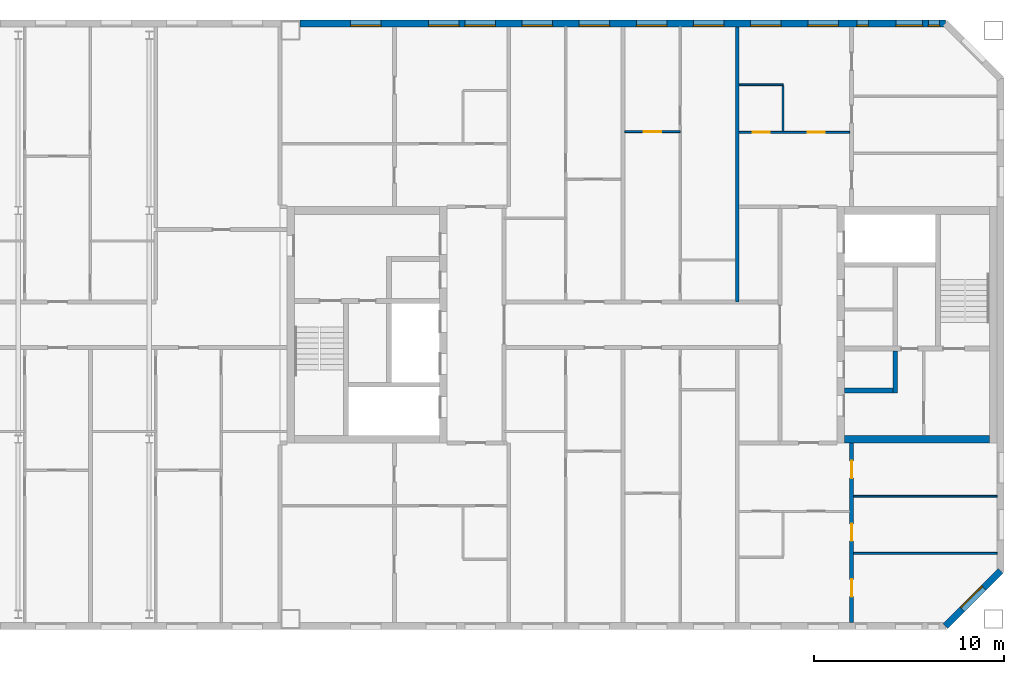
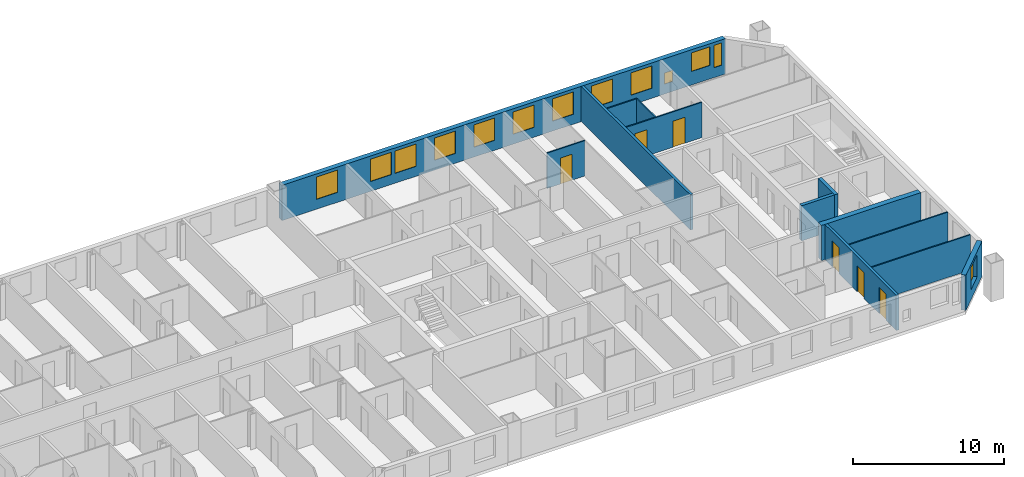
# One storey, part 16 of 19: 13 walls, 13 windows, 6 doors, 19 openings.
"""IFC4 building model written with IfcOpenShell, lengths in metres."""

from ifc_helpers import new_model, si_unit, direction, frame, frame_2d, origin, place, context, subcontext, project, spatial, rectangle, extrude, material, layer, layer_set, type_object, element, fill, save


model = new_model("IFC4")

# Units and contexts
model_context = context("Model", 3, precision=1e-05, world=origin(), true_north=direction((0.0, 1.0)))
body_context = subcontext(model_context, "Body", "Model", "MODEL_VIEW")
ifc_project = project(units=[si_unit("LENGTHUNIT", "METRE"), si_unit("AREAUNIT", "SQUARE_METRE"), si_unit("VOLUMEUNIT", "CUBIC_METRE"), si_unit("PLANEANGLEUNIT", "RADIAN"), si_unit("MASSUNIT", "GRAM", prefix="KILO")], contexts=[model_context])

# Site, building, storey
site_placement = place(None, origin())
site = spatial("IfcSite", under=ifc_project, at=site_placement, CompositionType="ELEMENT")
building_placement = place(site_placement, origin())
building = spatial("IfcBuilding", under=site, at=building_placement, Name="Tuart Gate Housing", CompositionType="ELEMENT")
storey_placement = place(building_placement, frame((0.0, 0.0, 212.10009765625)))
storey = spatial("IfcBuildingStorey", under=building, at=storey_placement, Name="L60", CompositionType="ELEMENT", Elevation=212.10009765625)

# Wall, opening, window
ifc_material_1 = material(Name="Brick", Category="masonry")
ifc_layer_1 = layer(ifc_material_1, 0.360107421875)
ifc_layer_set_1 = layer_set([ifc_layer_1], Name="Brick pier and spandrel wall 360")
wall_type_1 = type_object("IfcWallType", Name="Brick pier and spandrel wall 360", PredefinedType="STANDARD", material=ifc_layer_set_1)
wall_1_placement = place(storey_placement, frame((165.92529296875, 54.179931640625, 0.0), z_axis=(0.0, 0.0, 1.0), x_axis=(0.707106781187, 0.707106781187, 0.0)))
wall_1 = element("IfcWall", 1, at=wall_1_placement, inside=storey, type_object=wall_type_1, Name="External wall BLK-SE L60", PredefinedType="STANDARD", context=body_context, shape_type="SweptSolid", body=[
    extrude(rectangle(XDim=4.09375, YDim=0.360107421875, at=frame_2d((2.046875, 0.0))), origin(), (0.0, 0.0, 1.0), 2.849853515625),
])
opening_1_placement = place(wall_1_placement, frame((1.2470703125, 0.0, 0.800048828125)))
opening_1 = element("IfcOpeningElement", 2, at=opening_1_placement, cuts=wall_1, Name="Opening W1", PredefinedType="OPENING", context=body_context, shape_type="SweptSolid", body=[
    extrude(rectangle(XDim=1.60009765625, YDim=1.800048828125, at=frame_2d((0.800048828125, 0.89990234375))), frame((0.0, 0.18994140625, 0.0), z_axis=(0.0, -1.0, 0.0), x_axis=(1.0, 0.0, 0.0)), (0.0, 0.0, 1.0), 0.380126953125),
])
ifc_material_2 = material(Name="Aluminium frame with clear glass", Category="aluminium")
window_type_1 = type_object("IfcWindowType", Name="Punched window 1600 x 1800", PartitioningType="SINGLE_PANEL", PredefinedType="WINDOW", material=ifc_material_2)
window_1_placement = place(opening_1_placement, origin())
window_1 = element("IfcWindow", 3, at=window_1_placement, inside=storey, type_object=window_type_1, Name="Window W1", OverallHeight=1.800048828125, OverallWidth=1.60009765625, PartitioningType="SINGLE_PANEL", PredefinedType="WINDOW", context=body_context, shape_type="SweptSolid", body=[
    extrude(rectangle(XDim=1.60009765625, YDim=1.800048828125, at=frame_2d((0.800048828125, 0.89990234375))), frame((0.0, 0.150146484375, 0.0), z_axis=(0.0, -1.0, 0.0), x_axis=(1.0, 0.0, 0.0)), (0.0, 0.0, 1.0), 0.06005859375),
])
fill(opening_1, window_1)

# Wall, openings, windows
wall_2_placement = place(storey_placement, frame((165.92529296875, 85.820068359375, 0.0), z_axis=(0.0, 0.0, 1.0), x_axis=(-1.0, 0.0, 0.0)))
wall_2 = element("IfcWall", 4, at=wall_2_placement, inside=storey, type_object=wall_type_1, Name="External wall BLK-N L60", PredefinedType="STANDARD", context=body_context, shape_type="SweptSolid", body=[
    extrude(rectangle(XDim=33.875244140625, YDim=0.360107421875, at=frame_2d((16.9375, 0.0))), origin(), (0.0, 0.0, 1.0), 2.849853515625),
])
opening_2_placement = place(wall_2_placement, frame((0.300048828125, 0.0, 0.800048828125)))
opening_2 = element("IfcOpeningElement", 5, at=opening_2_placement, cuts=wall_2, Name="Opening W1E", PredefinedType="OPENING", context=body_context, shape_type="SweptSolid", body=[
    extrude(rectangle(XDim=0.60009765625, YDim=1.800048828125, at=frame_2d((0.300048828125, 0.89990234375))), frame((0.0, 0.18994140625, 0.0), z_axis=(0.0, -1.0, 0.0), x_axis=(1.0, 0.0, 0.0)), (0.0, 0.0, 1.0), 0.380126953125),
])
opening_3_placement = place(wall_2_placement, frame((5.62548828125, 0.0, 0.800048828125)))
opening_3 = element("IfcOpeningElement", 6, at=opening_3_placement, cuts=wall_2, Name="Opening W1", PredefinedType="OPENING", context=body_context, shape_type="SweptSolid", body=[
    extrude(rectangle(XDim=1.60009765625, YDim=1.800048828125, at=frame_2d((0.800048828125, 0.89990234375))), frame((0.0, 0.18994140625, 0.0), z_axis=(0.0, -1.0, 0.0), x_axis=(1.0, 0.0, 0.0)), (0.0, 0.0, 1.0), 0.380126953125),
])
opening_4_placement = place(wall_2_placement, frame((8.62548828125, 0.0, 0.800048828125)))
opening_4 = element("IfcOpeningElement", 7, at=opening_4_placement, cuts=wall_2, Name="Opening W1", PredefinedType="OPENING", context=body_context, shape_type="SweptSolid", body=[
    extrude(rectangle(XDim=1.60009765625, YDim=1.800048828125, at=frame_2d((0.800048828125, 0.89990234375))), frame((0.0, 0.18994140625, 0.0), z_axis=(0.0, -1.0, 0.0), x_axis=(1.0, 0.0, 0.0)), (0.0, 0.0, 1.0), 0.380126953125),
])
opening_5_placement = place(wall_2_placement, frame((11.62548828125, 0.0, 0.800048828125)))
opening_5 = element("IfcOpeningElement", 8, at=opening_5_placement, cuts=wall_2, Name="Opening W1", PredefinedType="OPENING", context=body_context, shape_type="SweptSolid", body=[
    extrude(rectangle(XDim=1.60009765625, YDim=1.800048828125, at=frame_2d((0.800048828125, 0.89990234375))), frame((0.0, 0.18994140625, 0.0), z_axis=(0.0, -1.0, 0.0), x_axis=(1.0, 0.0, 0.0)), (0.0, 0.0, 1.0), 0.380126953125),
])
opening_6_placement = place(wall_2_placement, frame((14.62548828125, 0.0, 0.800048828125)))
opening_6 = element("IfcOpeningElement", 9, at=opening_6_placement, cuts=wall_2, Name="Opening W1", PredefinedType="OPENING", context=body_context, shape_type="SweptSolid", body=[
    extrude(rectangle(XDim=1.60009765625, YDim=1.800048828125, at=frame_2d((0.800048828125, 0.89990234375))), frame((0.0, 0.18994140625, 0.0), z_axis=(0.0, -1.0, 0.0), x_axis=(1.0, 0.0, 0.0)), (0.0, 0.0, 1.0), 0.380126953125),
])
opening_7_placement = place(wall_2_placement, frame((17.62548828125, 0.0, 0.800048828125)))
opening_7 = element("IfcOpeningElement", 10, at=opening_7_placement, cuts=wall_2, Name="Opening W1", PredefinedType="OPENING", context=body_context, shape_type="SweptSolid", body=[
    extrude(rectangle(XDim=1.60009765625, YDim=1.800048828125, at=frame_2d((0.800048828125, 0.89990234375))), frame((0.0, 0.18994140625, 0.0), z_axis=(0.0, -1.0, 0.0), x_axis=(1.0, 0.0, 0.0)), (0.0, 0.0, 1.0), 0.380126953125),
])
opening_8_placement = place(wall_2_placement, frame((20.62548828125, 0.0, 0.800048828125)))
opening_8 = element("IfcOpeningElement", 11, at=opening_8_placement, cuts=wall_2, Name="Opening W1", PredefinedType="OPENING", context=body_context, shape_type="SweptSolid", body=[
    extrude(rectangle(XDim=1.60009765625, YDim=1.800048828125, at=frame_2d((0.800048828125, 0.89990234375))), frame((0.0, 0.18994140625, 0.0), z_axis=(0.0, -1.0, 0.0), x_axis=(1.0, 0.0, 0.0)), (0.0, 0.0, 1.0), 0.380126953125),
])
opening_9_placement = place(wall_2_placement, frame((23.62548828125, 0.0, 0.800048828125)))
opening_9 = element("IfcOpeningElement", 12, at=opening_9_placement, cuts=wall_2, Name="Opening W1", PredefinedType="OPENING", context=body_context, shape_type="SweptSolid", body=[
    extrude(rectangle(XDim=1.60009765625, YDim=1.800048828125, at=frame_2d((0.800048828125, 0.89990234375))), frame((0.0, 0.18994140625, 0.0), z_axis=(0.0, -1.0, 0.0), x_axis=(1.0, 0.0, 0.0)), (0.0, 0.0, 1.0), 0.380126953125),
])
opening_10_placement = place(wall_2_placement, frame((25.525390625, 0.0, 0.800048828125)))
opening_10 = element("IfcOpeningElement", 13, at=opening_10_placement, cuts=wall_2, Name="Opening W1", PredefinedType="OPENING", context=body_context, shape_type="SweptSolid", body=[
    extrude(rectangle(XDim=1.60009765625, YDim=1.800048828125, at=frame_2d((0.800048828125, 0.89990234375))), frame((0.0, 0.18994140625, 0.0), z_axis=(0.0, -1.0, 0.0), x_axis=(1.0, 0.0, 0.0)), (0.0, 0.0, 1.0), 0.380126953125),
])
opening_11_placement = place(wall_2_placement, frame((29.62548828125, 0.0, 0.800048828125)))
opening_11 = element("IfcOpeningElement", 14, at=opening_11_placement, cuts=wall_2, Name="Opening W1", PredefinedType="OPENING", context=body_context, shape_type="SweptSolid", body=[
    extrude(rectangle(XDim=1.60009765625, YDim=1.800048828125, at=frame_2d((0.800048828125, 0.89990234375))), frame((0.0, 0.18994140625, 0.0), z_axis=(0.0, -1.0, 0.0), x_axis=(1.0, 0.0, 0.0)), (0.0, 0.0, 1.0), 0.380126953125),
])
opening_12_placement = place(wall_2_placement, frame((1.199951171875, 0.0, 1.10009765625)))
opening_12 = element("IfcOpeningElement", 15, at=opening_12_placement, cuts=wall_2, Name="Opening W1G", PredefinedType="OPENING", context=body_context, shape_type="SweptSolid", body=[
    extrude(rectangle(XDim=1.39990234375, YDim=1.5, at=frame_2d((0.699951171875, 0.75))), frame((0.0, 0.18994140625, 0.0), z_axis=(0.0, -1.0, 0.0), x_axis=(1.0, 0.0, 0.0)), (0.0, 0.0, 1.0), 0.380126953125),
])
opening_13_placement = place(wall_2_placement, frame((4.050048828125, 0.0, 0.800048828125)))
opening_13 = element("IfcOpeningElement", 16, at=opening_13_placement, cuts=wall_2, Name="Opening W1W", PredefinedType="OPENING", context=body_context, shape_type="SweptSolid", body=[
    extrude(rectangle(XDim=0.60009765625, YDim=0.89990234375, at=frame_2d((0.300048828125, 0.449951171875))), frame((0.0, 0.18994140625, 0.0), z_axis=(0.0, -1.0, 0.0), x_axis=(1.0, 0.0, 0.0)), (0.0, 0.0, 1.0), 0.380126953125),
])
ifc_material_3 = material(Name="Aluminium frame with clear glass", Category="aluminium")
window_type_2 = type_object("IfcWindowType", Name="Punched window 1400 x 1500", PartitioningType="SINGLE_PANEL", PredefinedType="WINDOW", material=ifc_material_3)
window_2_placement = place(opening_12_placement, origin())
window_2 = element("IfcWindow", 17, at=window_2_placement, inside=storey, type_object=window_type_2, Name="Window W1G", OverallHeight=1.5, OverallWidth=1.39990234375, PartitioningType="SINGLE_PANEL", PredefinedType="WINDOW", context=body_context, shape_type="SweptSolid", body=[
    extrude(rectangle(XDim=1.39990234375, YDim=1.5, at=frame_2d((0.699951171875, 0.75))), frame((0.0, 0.150146484375, 0.0), z_axis=(0.0, -1.0, 0.0), x_axis=(1.0, 0.0, 0.0)), (0.0, 0.0, 1.0), 0.06005859375),
])
fill(opening_12, window_2)
window_3_placement = place(opening_3_placement, origin())
window_3 = element("IfcWindow", 18, at=window_3_placement, inside=storey, type_object=window_type_1, Name="Window W1", OverallHeight=1.800048828125, OverallWidth=1.60009765625, PartitioningType="SINGLE_PANEL", PredefinedType="WINDOW", context=body_context, shape_type="SweptSolid", body=[
    extrude(rectangle(XDim=1.60009765625, YDim=1.800048828125, at=frame_2d((0.800048828125, 0.89990234375))), frame((0.0, 0.150146484375, 0.0), z_axis=(0.0, -1.0, 0.0), x_axis=(1.0, 0.0, 0.0)), (0.0, 0.0, 1.0), 0.06005859375),
])
fill(opening_3, window_3)
window_4_placement = place(opening_4_placement, origin())
window_4 = element("IfcWindow", 19, at=window_4_placement, inside=storey, type_object=window_type_1, Name="Window W1", OverallHeight=1.800048828125, OverallWidth=1.60009765625, PartitioningType="SINGLE_PANEL", PredefinedType="WINDOW", context=body_context, shape_type="SweptSolid", body=[
    extrude(rectangle(XDim=1.60009765625, YDim=1.800048828125, at=frame_2d((0.800048828125, 0.89990234375))), frame((0.0, 0.150146484375, 0.0), z_axis=(0.0, -1.0, 0.0), x_axis=(1.0, 0.0, 0.0)), (0.0, 0.0, 1.0), 0.06005859375),
])
fill(opening_4, window_4)
window_5_placement = place(opening_5_placement, origin())
window_5 = element("IfcWindow", 20, at=window_5_placement, inside=storey, type_object=window_type_1, Name="Window W1", OverallHeight=1.800048828125, OverallWidth=1.60009765625, PartitioningType="SINGLE_PANEL", PredefinedType="WINDOW", context=body_context, shape_type="SweptSolid", body=[
    extrude(rectangle(XDim=1.60009765625, YDim=1.800048828125, at=frame_2d((0.800048828125, 0.89990234375))), frame((0.0, 0.150146484375, 0.0), z_axis=(0.0, -1.0, 0.0), x_axis=(1.0, 0.0, 0.0)), (0.0, 0.0, 1.0), 0.06005859375),
])
fill(opening_5, window_5)
window_6_placement = place(opening_6_placement, origin())
window_6 = element("IfcWindow", 21, at=window_6_placement, inside=storey, type_object=window_type_1, Name="Window W1", OverallHeight=1.800048828125, OverallWidth=1.60009765625, PartitioningType="SINGLE_PANEL", PredefinedType="WINDOW", context=body_context, shape_type="SweptSolid", body=[
    extrude(rectangle(XDim=1.60009765625, YDim=1.800048828125, at=frame_2d((0.800048828125, 0.89990234375))), frame((0.0, 0.150146484375, 0.0), z_axis=(0.0, -1.0, 0.0), x_axis=(1.0, 0.0, 0.0)), (0.0, 0.0, 1.0), 0.06005859375),
])
fill(opening_6, window_6)
window_7_placement = place(opening_7_placement, origin())
window_7 = element("IfcWindow", 22, at=window_7_placement, inside=storey, type_object=window_type_1, Name="Window W1", OverallHeight=1.800048828125, OverallWidth=1.60009765625, PartitioningType="SINGLE_PANEL", PredefinedType="WINDOW", context=body_context, shape_type="SweptSolid", body=[
    extrude(rectangle(XDim=1.60009765625, YDim=1.800048828125, at=frame_2d((0.800048828125, 0.89990234375))), frame((0.0, 0.150146484375, 0.0), z_axis=(0.0, -1.0, 0.0), x_axis=(1.0, 0.0, 0.0)), (0.0, 0.0, 1.0), 0.06005859375),
])
fill(opening_7, window_7)
window_8_placement = place(opening_8_placement, origin())
window_8 = element("IfcWindow", 23, at=window_8_placement, inside=storey, type_object=window_type_1, Name="Window W1", OverallHeight=1.800048828125, OverallWidth=1.60009765625, PartitioningType="SINGLE_PANEL", PredefinedType="WINDOW", context=body_context, shape_type="SweptSolid", body=[
    extrude(rectangle(XDim=1.60009765625, YDim=1.800048828125, at=frame_2d((0.800048828125, 0.89990234375))), frame((0.0, 0.150146484375, 0.0), z_axis=(0.0, -1.0, 0.0), x_axis=(1.0, 0.0, 0.0)), (0.0, 0.0, 1.0), 0.06005859375),
])
fill(opening_8, window_8)
window_9_placement = place(opening_9_placement, origin())
window_9 = element("IfcWindow", 24, at=window_9_placement, inside=storey, type_object=window_type_1, Name="Window W1", OverallHeight=1.800048828125, OverallWidth=1.60009765625, PartitioningType="SINGLE_PANEL", PredefinedType="WINDOW", context=body_context, shape_type="SweptSolid", body=[
    extrude(rectangle(XDim=1.60009765625, YDim=1.800048828125, at=frame_2d((0.800048828125, 0.89990234375))), frame((0.0, 0.150146484375, 0.0), z_axis=(0.0, -1.0, 0.0), x_axis=(1.0, 0.0, 0.0)), (0.0, 0.0, 1.0), 0.06005859375),
])
fill(opening_9, window_9)
window_10_placement = place(opening_10_placement, origin())
window_10 = element("IfcWindow", 25, at=window_10_placement, inside=storey, type_object=window_type_1, Name="Window W1", OverallHeight=1.800048828125, OverallWidth=1.60009765625, PartitioningType="SINGLE_PANEL", PredefinedType="WINDOW", context=body_context, shape_type="SweptSolid", body=[
    extrude(rectangle(XDim=1.60009765625, YDim=1.800048828125, at=frame_2d((0.800048828125, 0.89990234375))), frame((0.0, 0.150146484375, 0.0), z_axis=(0.0, -1.0, 0.0), x_axis=(1.0, 0.0, 0.0)), (0.0, 0.0, 1.0), 0.06005859375),
])
fill(opening_10, window_10)
window_11_placement = place(opening_11_placement, origin())
window_11 = element("IfcWindow", 26, at=window_11_placement, inside=storey, type_object=window_type_1, Name="Window W1", OverallHeight=1.800048828125, OverallWidth=1.60009765625, PartitioningType="SINGLE_PANEL", PredefinedType="WINDOW", context=body_context, shape_type="SweptSolid", body=[
    extrude(rectangle(XDim=1.60009765625, YDim=1.800048828125, at=frame_2d((0.800048828125, 0.89990234375))), frame((0.0, 0.150146484375, 0.0), z_axis=(0.0, -1.0, 0.0), x_axis=(1.0, 0.0, 0.0)), (0.0, 0.0, 1.0), 0.06005859375),
])
fill(opening_11, window_11)
ifc_material_4 = material(Name="Aluminium frame with clear glass", Category="aluminium")
window_type_3 = type_object("IfcWindowType", Name="Punched window 600 x 1800", PartitioningType="SINGLE_PANEL", PredefinedType="WINDOW", material=ifc_material_4)
window_12_placement = place(opening_2_placement, origin())
window_12 = element("IfcWindow", 27, at=window_12_placement, inside=storey, type_object=window_type_3, Name="Window W1E", OverallHeight=1.800048828125, OverallWidth=0.60009765625, PartitioningType="SINGLE_PANEL", PredefinedType="WINDOW", context=body_context, shape_type="SweptSolid", body=[
    extrude(rectangle(XDim=0.60009765625, YDim=1.800048828125, at=frame_2d((0.300048828125, 0.89990234375))), frame((0.0, 0.150146484375, 0.0), z_axis=(0.0, -1.0, 0.0), x_axis=(1.0, 0.0, 0.0)), (0.0, 0.0, 1.0), 0.06005859375),
])
fill(opening_2, window_12)
ifc_material_5 = material(Name="Aluminium frame with clear glass", Category="aluminium")
window_type_4 = type_object("IfcWindowType", Name="Punched window 600 x 900", PartitioningType="SINGLE_PANEL", PredefinedType="WINDOW", material=ifc_material_5)
window_13_placement = place(opening_13_placement, origin())
window_13 = element("IfcWindow", 28, at=window_13_placement, inside=storey, type_object=window_type_4, Name="Window W1W", OverallHeight=0.89990234375, OverallWidth=0.60009765625, PartitioningType="SINGLE_PANEL", PredefinedType="WINDOW", context=body_context, shape_type="SweptSolid", body=[
    extrude(rectangle(XDim=0.60009765625, YDim=0.89990234375, at=frame_2d((0.300048828125, 0.449951171875))), frame((0.0, 0.150146484375, 0.0), z_axis=(0.0, -1.0, 0.0), x_axis=(1.0, 0.0, 0.0)), (0.0, 0.0, 1.0), 0.06005859375),
])
fill(opening_13, window_13)

# Walls
ifc_material_6 = material(Name="Concrete C40", Category="concrete")
ifc_layer_2 = layer(ifc_material_6, 0.25)
ifc_layer_set_2 = layer_set([ifc_layer_2], Name="Core wall 250 C40")
wall_type_2 = type_object("IfcWallType", Name="Core wall 250 C40", PredefinedType="SHEAR", material=ifc_layer_set_2)
wall_3_placement = place(storey_placement, frame((160.639892578125, 66.550048828125, 0.0), z_axis=(0.0, 0.0, 1.0), x_axis=(1.0, 0.0, 0.0)))
element("IfcWall", 29, at=wall_3_placement, inside=storey, type_object=wall_type_2, Name="Core wall BK.4", PredefinedType="SHEAR", context=body_context, shape_type="SweptSolid", body=[
    extrude(rectangle(XDim=2.525146484375, YDim=0.25, at=frame_2d((1.2626953125, 0.0))), origin(), (0.0, 0.0, 1.0), 2.849853515625),
])
wall_4_placement = place(storey_placement, frame((163.2900390625, 68.625, 0.0), z_axis=(0.0, 0.0, 1.0), x_axis=(0.0, -1.0, 0.0)))
element("IfcWall", 30, at=wall_4_placement, inside=storey, type_object=wall_type_2, Name="Core wall BK.6", PredefinedType="SHEAR", context=body_context, shape_type="SweptSolid", body=[
    extrude(rectangle(XDim=2.199951171875, YDim=0.25, at=frame_2d((1.10009765625, 0.0))), origin(), (0.0, 0.0, 1.0), 2.849853515625),
])
ifc_material_7 = material(Name="Concrete C40", Category="concrete")
ifc_layer_3 = layer(ifc_material_7, 0.39990234375)
ifc_layer_set_3 = layer_set([ifc_layer_3], Name="Core wall 400 C40")
wall_type_3 = type_object("IfcWallType", Name="Core wall 400 C40", PredefinedType="SHEAR", material=ifc_layer_set_3)
wall_5_placement = place(storey_placement, frame((160.639892578125, 64.0, 0.0), z_axis=(0.0, 0.0, 1.0), x_axis=(1.0, 0.0, 0.0)))
element("IfcWall", 31, at=wall_5_placement, inside=storey, type_object=wall_type_3, Name="Core wall BK north", PredefinedType="SHEAR", context=body_context, shape_type="SweptSolid", body=[
    extrude(rectangle(XDim=7.60009765625, YDim=0.39990234375, at=frame_2d((3.800048828125, 0.0))), origin(), (0.0, 0.0, 1.0), 2.849853515625),
])
ifc_material_8 = material(Name="Gypsum board on steel studs", Category="steel")
ifc_layer_4 = layer(ifc_material_8, 0.10009765625)
ifc_layer_set_4 = layer_set([ifc_layer_4], Name="Partition 100")
wall_type_4 = type_object("IfcWallType", Name="Partition 100", PredefinedType="PARTITIONING", material=ifc_layer_set_4)
for number, where, z_axis, x_axis, name in (
    (32, (161.10009765625, 58.0, 0.0), (0.0, 0.0, 1.0), (1.0, 0.0, 0.0), "Partition 100"),
    (33, (161.10009765625, 61.0, 0.0), (0.0, 0.0, 1.0), (1.0, 0.0, 0.0), "Partition 100"),
):
    element("IfcWall", number, at=place(storey_placement, frame(where, z_axis=z_axis, x_axis=x_axis)), inside=storey, type_object=wall_type_4, Name=name, PredefinedType="PARTITIONING", context=body_context, shape_type="SweptSolid", body=[
        extrude(rectangle(XDim=7.539794921875, YDim=0.10009765625, at=frame_2d((3.77001953125, 0.0))), origin(), (0.0, 0.0, 1.0), 2.849853515625),
    ])

# Wall, openings, doors
wall_6_placement = place(storey_placement, frame((155.10009765625, 80.10009765625, 0.0), z_axis=(0.0, 0.0, 1.0), x_axis=(1.0, 0.0, 0.0)))
wall_6 = element("IfcWall", 34, at=wall_6_placement, inside=storey, type_object=wall_type_4, Name="Partition 100", PredefinedType="PARTITIONING", context=body_context, shape_type="SweptSolid", body=[
    extrude(rectangle(XDim=5.7998046875, YDim=0.10009765625, at=frame_2d((2.89990234375, 0.0))), origin(), (0.0, 0.0, 1.0), 2.849853515625),
])
opening_14_placement = place(wall_6_placement, frame((3.60009765625, 0.0, 0.0)))
opening_14 = element("IfcOpeningElement", 35, at=opening_14_placement, cuts=wall_6, Name="Opening D2231", PredefinedType="OPENING", context=body_context, shape_type="SweptSolid", body=[
    extrude(rectangle(XDim=0.89990234375, YDim=2.10009765625, at=frame_2d((0.449951171875, 1.050048828125))), frame((0.0, 0.06005859375, 0.0), z_axis=(0.0, -1.0, 0.0), x_axis=(1.0, 0.0, 0.0)), (0.0, 0.0, 1.0), 0.1201171875),
])
opening_15_placement = place(wall_6_placement, frame((0.699951171875, 0.0, 0.0)))
opening_15 = element("IfcOpeningElement", 36, at=opening_15_placement, cuts=wall_6, Name="Opening D2230", PredefinedType="OPENING", context=body_context, shape_type="SweptSolid", body=[
    extrude(rectangle(XDim=0.89990234375, YDim=2.10009765625, at=frame_2d((0.449951171875, 1.050048828125))), frame((0.0, 0.06005859375, 0.0), z_axis=(0.0, -1.0, 0.0), x_axis=(1.0, 0.0, 0.0)), (0.0, 0.0, 1.0), 0.1201171875),
])
ifc_material_9 = material(Name="Timber door leaf in steel frame", Category="steel")
door_type_1 = type_object("IfcDoorType", Name="Bathroom door 900 RH", OperationType="SINGLE_SWING_RIGHT", PredefinedType="DOOR", material=ifc_material_9)
door_1_placement = place(opening_15_placement, origin())
door_1 = element("IfcDoor", 37, at=door_1_placement, inside=storey, type_object=door_type_1, Name="Bathroom door", OperationType="SINGLE_SWING_RIGHT", OverallHeight=2.10009765625, OverallWidth=0.89990234375, PredefinedType="DOOR", context=body_context, shape_type="SweptSolid", body=[
    extrude(rectangle(XDim=0.89990234375, YDim=2.10009765625, at=frame_2d((0.449951171875, 1.050048828125))), frame((0.0, 0.02490234375, 0.0), z_axis=(0.0, -1.0, 0.0), x_axis=(1.0, 0.0, 0.0)), (0.0, 0.0, 1.0), 0.050048828125),
])
fill(opening_15, door_1)
ifc_material_10 = material(Name="Timber door leaf in steel frame", Category="steel")
door_type_2 = type_object("IfcDoorType", Name="Internal door 900", OperationType="SINGLE_SWING_LEFT", PredefinedType="DOOR", material=ifc_material_10)
door_2_placement = place(opening_14_placement, frame((0.89990234375, 0.0, 0.0), z_axis=(0.0, 0.0, 1.0), x_axis=(-1.0, 0.0, 0.0)))
door_2 = element("IfcDoor", 38, at=door_2_placement, inside=storey, type_object=door_type_2, Name="Internal door", OperationType="SINGLE_SWING_LEFT", OverallHeight=2.10009765625, OverallWidth=0.89990234375, PredefinedType="DOOR", context=body_context, shape_type="SweptSolid", body=[
    extrude(rectangle(XDim=0.89990234375, YDim=2.10009765625, at=frame_2d((0.449951171875, 1.050048828125))), frame((0.0, 0.025146484375, 0.0), z_axis=(0.0, -1.0, 0.0), x_axis=(1.0, 0.0, 0.0)), (0.0, 0.0, 1.0), 0.050048828125),
])
fill(opening_14, door_2)

# Wall, opening, door
wall_7_placement = place(storey_placement, frame((149.10009765625, 80.139892578125, 0.0), z_axis=(0.0, 0.0, 1.0), x_axis=(1.0, 0.0, 0.0)))
wall_7 = element("IfcWall", 39, at=wall_7_placement, inside=storey, type_object=wall_type_4, Name="Partition 100", PredefinedType="PARTITIONING", context=body_context, shape_type="SweptSolid", body=[
    extrude(rectangle(XDim=2.89990234375, YDim=0.10009765625, at=frame_2d((1.449951171875, 0.0))), origin(), (0.0, 0.0, 1.0), 2.849853515625),
])
opening_16_placement = place(wall_7_placement, frame((1.0, 0.0, 0.0)))
opening_16 = element("IfcOpeningElement", 40, at=opening_16_placement, cuts=wall_7, Name="Opening D2229", PredefinedType="OPENING", context=body_context, shape_type="SweptSolid", body=[
    extrude(rectangle(XDim=0.89990234375, YDim=2.10009765625, at=frame_2d((0.449951171875, 1.050048828125))), frame((0.0, 0.06005859375, 0.0), z_axis=(0.0, -1.0, 0.0), x_axis=(1.0, 0.0, 0.0)), (0.0, 0.0, 1.0), 0.1201171875),
])
door_3_placement = place(opening_16_placement, frame((0.89990234375, 0.0, 0.0), z_axis=(0.0, 0.0, 1.0), x_axis=(-1.0, 0.0, 0.0)))
door_3 = element("IfcDoor", 41, at=door_3_placement, inside=storey, type_object=door_type_2, Name="Internal door", OperationType="SINGLE_SWING_LEFT", OverallHeight=2.10009765625, OverallWidth=0.89990234375, PredefinedType="DOOR", context=body_context, shape_type="SweptSolid", body=[
    extrude(rectangle(XDim=0.89990234375, YDim=2.10009765625, at=frame_2d((0.449951171875, 1.050048828125))), frame((0.0, 0.025146484375, 0.0), z_axis=(0.0, -1.0, 0.0), x_axis=(1.0, 0.0, 0.0)), (0.0, 0.0, 1.0), 0.050048828125),
])
fill(opening_16, door_3)

# Walls
wall_8_placement = place(storey_placement, frame((155.10009765625, 82.60009765625, 0.0), z_axis=(0.0, 0.0, 1.0), x_axis=(1.0, 0.0, 0.0)))
element("IfcWall", 42, at=wall_8_placement, inside=storey, type_object=wall_type_4, Name="Partition 100", PredefinedType="PARTITIONING", context=body_context, shape_type="SweptSolid", body=[
    extrude(rectangle(XDim=2.2998046875, YDim=0.10009765625, at=frame_2d((1.14990234375, 0.0))), origin(), (0.0, 0.0, 1.0), 2.849853515625),
])
wall_9_placement = place(storey_placement, frame((157.39990234375, 80.14990234375, 0.0), z_axis=(0.0, 0.0, 1.0), x_axis=(0.0, 1.0, 0.0)))
element("IfcWall", 43, at=wall_9_placement, inside=storey, type_object=wall_type_4, Name="Partition 100", PredefinedType="PARTITIONING", context=body_context, shape_type="SweptSolid", body=[
    extrude(rectangle(XDim=2.400146484375, YDim=0.10009765625, at=frame_2d((1.2001953125, 0.0))), origin(), (0.0, 0.0, 1.0), 2.849853515625),
])
ifc_material_11 = material(Name="Concrete C40", Category="concrete")
ifc_layer_5 = layer(ifc_material_11, 0.199951171875)
ifc_layer_set_5 = layer_set([ifc_layer_5], Name="Party wall concrete C40 200")
wall_type_5 = type_object("IfcWallType", Name="Party wall concrete C40 200", PredefinedType="SOLIDWALL", material=ifc_layer_set_5)
wall_10_placement = place(storey_placement, frame((155.0, 71.199951171875, 0.0), z_axis=(0.0, 0.0, 1.0), x_axis=(0.0, 1.0, 0.0)))
element("IfcWall", 44, at=wall_10_placement, inside=storey, type_object=wall_type_5, Name="Party wall concrete C40 200", PredefinedType="SOLIDWALL", context=body_context, shape_type="SweptSolid", body=[
    extrude(rectangle(XDim=14.43994140625, YDim=0.199951171875, at=frame_2d((7.219970703125, 0.0))), origin(), (0.0, 0.0, 1.0), 2.849853515625),
])

# Wall, openings, doors
wall_11_placement = place(storey_placement, frame((161.0, 54.360107421875, 0.0), z_axis=(0.0, 0.0, 1.0), x_axis=(0.0, 1.0, 0.0)))
wall_11 = element("IfcWall", 45, at=wall_11_placement, inside=storey, type_object=wall_type_5, Name="Party wall concrete C40 200", PredefinedType="SOLIDWALL", context=body_context, shape_type="SweptSolid", body=[
    extrude(rectangle(XDim=9.43994140625, YDim=0.199951171875, at=frame_2d((4.719970703125, 0.0))), origin(), (0.0, 0.0, 1.0), 2.849853515625),
])
opening_17_placement = place(wall_11_placement, frame((1.3701171875, 0.0, 0.0)))
opening_17 = element("IfcOpeningElement", 46, at=opening_17_placement, cuts=wall_11, Name="Opening D2273", PredefinedType="OPENING", context=body_context, shape_type="SweptSolid", body=[
    extrude(rectangle(XDim=0.89990234375, YDim=2.10009765625, at=frame_2d((0.449951171875, 1.050048828125))), frame((0.0, 0.10986328125, 0.0), z_axis=(0.0, -1.0, 0.0), x_axis=(1.0, 0.0, 0.0)), (0.0, 0.0, 1.0), 0.219970703125),
])
opening_18_placement = place(wall_11_placement, frame((4.2900390625, 0.0, 0.0)))
opening_18 = element("IfcOpeningElement", 47, at=opening_18_placement, cuts=wall_11, Name="Opening D2274", PredefinedType="OPENING", context=body_context, shape_type="SweptSolid", body=[
    extrude(rectangle(XDim=0.89990234375, YDim=2.10009765625, at=frame_2d((0.449951171875, 1.050048828125))), frame((0.0, 0.10986328125, 0.0), z_axis=(0.0, -1.0, 0.0), x_axis=(1.0, 0.0, 0.0)), (0.0, 0.0, 1.0), 0.219970703125),
])
opening_19_placement = place(wall_11_placement, frame((7.590087890625, 0.0, 0.0)))
opening_19 = element("IfcOpeningElement", 48, at=opening_19_placement, cuts=wall_11, Name="Opening D2275", PredefinedType="OPENING", context=body_context, shape_type="SweptSolid", body=[
    extrude(rectangle(XDim=0.89990234375, YDim=2.10009765625, at=frame_2d((0.449951171875, 1.050048828125))), frame((0.0, 0.10986328125, 0.0), z_axis=(0.0, -1.0, 0.0), x_axis=(1.0, 0.0, 0.0)), (0.0, 0.0, 1.0), 0.219970703125),
])
ifc_material_12 = material(Name="Timber door leaf in steel frame", Category="steel")
door_type_3 = type_object("IfcDoorType", Name="Internal door 900 RH", OperationType="SINGLE_SWING_RIGHT", PredefinedType="DOOR", material=ifc_material_12)
door_4_placement = place(opening_17_placement, frame((0.89990234375, 0.0, 0.0), z_axis=(0.0, 0.0, 1.0), x_axis=(-1.0, 0.0, 0.0)))
door_4 = element("IfcDoor", 49, at=door_4_placement, inside=storey, type_object=door_type_3, Name="Internal door", OperationType="SINGLE_SWING_RIGHT", OverallHeight=2.10009765625, OverallWidth=0.89990234375, PredefinedType="DOOR", context=body_context, shape_type="SweptSolid", body=[
    extrude(rectangle(XDim=0.89990234375, YDim=2.10009765625, at=frame_2d((0.449951171875, 1.050048828125))), frame((0.0, 0.025146484375, 0.0), z_axis=(0.0, -1.0, 0.0), x_axis=(1.0, 0.0, 0.0)), (0.0, 0.0, 1.0), 0.050048828125),
])
fill(opening_17, door_4)
door_5_placement = place(opening_18_placement, frame((0.89990234375, 0.0, 0.0), z_axis=(0.0, 0.0, 1.0), x_axis=(-1.0, 0.0, 0.0)))
door_5 = element("IfcDoor", 50, at=door_5_placement, inside=storey, type_object=door_type_3, Name="Internal door", OperationType="SINGLE_SWING_RIGHT", OverallHeight=2.10009765625, OverallWidth=0.89990234375, PredefinedType="DOOR", context=body_context, shape_type="SweptSolid", body=[
    extrude(rectangle(XDim=0.89990234375, YDim=2.10009765625, at=frame_2d((0.449951171875, 1.050048828125))), frame((0.0, 0.025146484375, 0.0), z_axis=(0.0, -1.0, 0.0), x_axis=(1.0, 0.0, 0.0)), (0.0, 0.0, 1.0), 0.050048828125),
])
fill(opening_18, door_5)
door_6_placement = place(opening_19_placement, frame((0.89990234375, 0.0, 0.0), z_axis=(0.0, 0.0, 1.0), x_axis=(-1.0, 0.0, 0.0)))
door_6 = element("IfcDoor", 51, at=door_6_placement, inside=storey, type_object=door_type_3, Name="Internal door", OperationType="SINGLE_SWING_RIGHT", OverallHeight=2.10009765625, OverallWidth=0.89990234375, PredefinedType="DOOR", context=body_context, shape_type="SweptSolid", body=[
    extrude(rectangle(XDim=0.89990234375, YDim=2.10009765625, at=frame_2d((0.449951171875, 1.050048828125))), frame((0.0, 0.025146484375, 0.0), z_axis=(0.0, -1.0, 0.0), x_axis=(1.0, 0.0, 0.0)), (0.0, 0.0, 1.0), 0.050048828125),
])
fill(opening_19, door_6)

save(model, "model.ifc")
